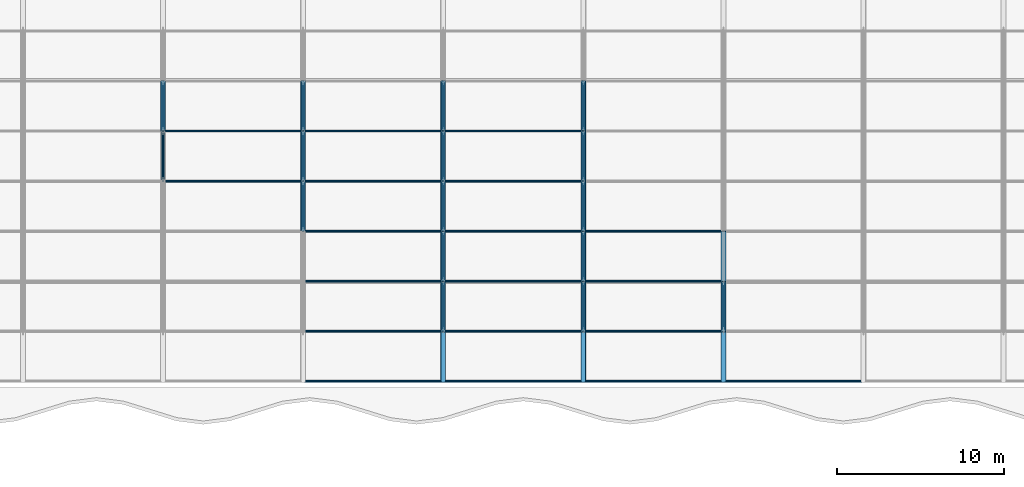
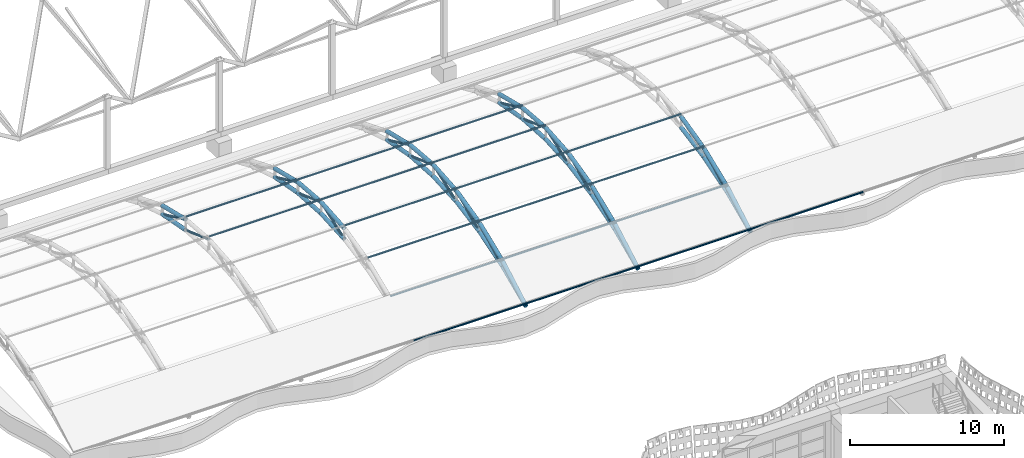
# One storey, part 13 of 163: 73 members.
"""IFC4 building model written with IfcOpenShell, lengths in metres."""

import ifcopenshell
import ifcopenshell.guid

model = None  # the IFC model being written
_history = None  # IfcOwnerHistory: only IFC2X3 demands one
_inside = {}  # id of a spatial element -> (the spatial element, [elements in it])
_under = {}  # id of a project, library or spatial element -> (it, [spatial elements below it])
_declared = {}  # id of a project -> (the project, [libraries it declares])
_typed = {}  # id of a type object -> (the type object, [elements of that type])
_made_of = {}  # id of a material, layer set ... -> (it, [elements and type objects made of it])


def new_model(schema):
    """Start an empty IFC model of exactly this schema.

    Asked for "IFC4X3", IfcOpenShell would pick the latest addendum, in which some entities
    have other attributes; the version numbers below select the first issue.
    IFC2X3 requires an IfcOwnerHistory on every rooted entity: one is made here for all.
    """
    global model, _history
    if schema == "IFC4X3":
        model = ifcopenshell.file(schema_version=(4, 3, 0, 0))
    else:
        model = ifcopenshell.file(schema=schema)
    _inside.clear()
    _under.clear()
    _declared.clear()
    _typed.clear()
    _made_of.clear()
    _history = None
    if model.schema == "IFC2X3":
        org = make("IfcOrganization", Name="unknown")
        user = make(
            "IfcPersonAndOrganization",
            ThePerson=make("IfcPerson", FamilyName="unknown"),
            TheOrganization=org,
        )
        app = make(
            "IfcApplication",
            ApplicationDeveloper=org,
            Version="unknown",
            ApplicationFullName="unknown",
            ApplicationIdentifier="unknown",
        )
        _history = make(
            "IfcOwnerHistory",
            OwningUser=user,
            OwningApplication=app,
            ChangeAction="ADDED",
            CreationDate=0,
        )
    return model


def make(cls, **values):
    """One entity of the class cls with the attributes given. An attribute that is None is left unset."""
    return model.create_entity(
        cls, **{name: value for name, value in values.items() if value is not None}
    )


def rooted(cls, **values):
    """An entity with a GlobalId (a new one), such as an element, a storey or a relation."""
    return make(cls, GlobalId=ifcopenshell.guid.new(), OwnerHistory=_history, **values)


def si_unit(unit_type, name, prefix=None):
    """IfcSIUnit, for example si_unit("LENGTHUNIT", "METRE", prefix="MILLI")."""
    return make("IfcSIUnit", UnitType=unit_type, Prefix=prefix, Name=name)


def assignment(units):
    """IfcUnitAssignment: the units of a project."""
    return None if units is None else make("IfcUnitAssignment", Units=units)


def point(xyz):
    """IfcCartesianPoint."""
    return None if xyz is None else make("IfcCartesianPoint", Coordinates=xyz)


def direction(xyz):
    """IfcDirection."""
    return None if xyz is None else make("IfcDirection", DirectionRatios=xyz)


def frame(location, z_axis=None, x_axis=None):
    """IfcAxis2Placement3D, a coordinate frame: its origin and axes. An axis left out is left unset."""
    return make(
        "IfcAxis2Placement3D",
        Location=point(location),
        Axis=direction(z_axis),
        RefDirection=direction(x_axis),
    )


def frame_2d(location, x_axis=None):
    """IfcAxis2Placement2D, a coordinate frame in the plane: its origin and x axis."""
    return make(
        "IfcAxis2Placement2D", Location=point(location), RefDirection=direction(x_axis)
    )


def origin():
    """The frame at (0, 0, 0) with its axes left unset."""
    return frame((0.0, 0.0, 0.0))


def origin_2d():
    """The frame at (0, 0) in the plane with its x axis left unset."""
    return frame_2d((0.0, 0.0))


def place(relative_to, where):
    """IfcLocalPlacement: puts the frame where relative to a parent placement (None: the world)."""
    return make(
        "IfcLocalPlacement", PlacementRelTo=relative_to, RelativePlacement=where
    )


def context(
    kind, dimensions, precision=None, world=None, true_north=None, identifier=None
):
    """IfcGeometricRepresentationContext, for example the 3D "Model" context."""
    return make(
        "IfcGeometricRepresentationContext",
        ContextIdentifier=identifier,
        ContextType=kind,
        CoordinateSpaceDimension=dimensions,
        Precision=precision,
        WorldCoordinateSystem=world,
        TrueNorth=true_north,
    )


def subcontext(parent, identifier, kind, view, scale=None):
    """IfcGeometricRepresentationSubContext, for example "Body" below "Model"."""
    return make(
        "IfcGeometricRepresentationSubContext",
        ContextIdentifier=identifier,
        ContextType=kind,
        ParentContext=parent,
        TargetScale=scale,
        TargetView=view,
    )


def project(units=None, contexts=None):
    """IfcProject with its units and contexts."""
    return rooted(
        "IfcProject",
        Name="project",
        RepresentationContexts=contexts,
        UnitsInContext=assignment(units),
    )


def spatial(cls, under=None, at=None, **own):
    """A site, building, storey or space (cls), placed at a placement, below another one or the project."""
    s = rooted(cls, ObjectPlacement=at, **own)
    if under is not None:
        _under.setdefault(under.id(), (under, []))[1].append(s)
    return s


def profile(cls, at=None, kind="AREA", **sizes):
    """A parametric profile (cls). Its sizes go by their IFC names, for example OverallWidth=200.0."""
    return make(cls, ProfileType=kind, Position=at, **sizes)


def hollow_circle(**sizes):
    """IfcCircleHollowProfileDef."""
    return profile("IfcCircleHollowProfileDef", **sizes)


def extrude(swept, where, along, depth):
    """IfcExtrudedAreaSolid: the profile swept, set in the frame where, extruded along a direction by depth."""
    return make(
        "IfcExtrudedAreaSolid",
        SweptArea=swept,
        Position=where,
        ExtrudedDirection=direction(along),
        Depth=depth,
    )


def shape(context_of_items, identifier, shape_type, items):
    """IfcShapeRepresentation: the items that make up one representation, for example the "Body"."""
    return make(
        "IfcShapeRepresentation",
        ContextOfItems=context_of_items,
        RepresentationIdentifier=identifier,
        RepresentationType=shape_type,
        Items=items,
    )


def material(Name=None, Category=None):
    """IfcMaterial."""
    return make("IfcMaterial", Name=Name, Category=Category)


def material_profile(
    of_material, cross_section, Name=None, Category=None, Priority=None
):
    """IfcMaterialProfile: a cross section and its material."""
    return make(
        "IfcMaterialProfile",
        Name=Name,
        Material=of_material,
        Profile=cross_section,
        Priority=Priority,
        Category=Category,
    )


def profile_set(profiles, Name=None, composite=None):
    """IfcMaterialProfileSet."""
    return make(
        "IfcMaterialProfileSet",
        Name=Name,
        MaterialProfiles=profiles,
        CompositeProfile=composite,
    )


def made_of(thing, what):
    """Note that an element or type object is made of a material, layer set ...; save() writes the relation."""
    if what is not None:
        _made_of.setdefault(what.id(), (what, []))[1].append(thing)
    return thing


def type_object(cls, material=None, **own):
    """A type object (cls), such as IfcWallType, which elements share."""
    return made_of(rooted(cls, **own), material)


def element(
    cls,
    number,
    at=None,
    inside=None,
    cuts=None,
    type_object=None,
    material=None,
    context=None,
    identifier="Body",
    shape_type=None,
    held_by="IfcProductDefinitionShape",
    body=None,
    shapes=None,
    **own,
):
    """One element of the class cls, such as IfcWall. Its Tag is "e" and its number.

    at: its placement. inside: the storey or other place that contains it. cuts: it is an
    opening in that element (IfcRelVoidsElement). A single representation is given by context,
    identifier, shape_type and body (its items); several are given by shapes. held_by: the class
    of the entity that holds the representations. save() writes the other relations.
    """
    e = rooted(cls, Tag="e%d" % number, ObjectPlacement=at, **own)
    if body is not None:
        shapes = [shape(context, identifier, shape_type, body)]
    if shapes is not None:
        e.Representation = make(held_by, Representations=shapes)
    if inside is not None:
        _inside.setdefault(inside.id(), (inside, []))[1].append(e)
    if cuts is not None:
        rooted(
            "IfcRelVoidsElement", RelatingBuildingElement=cuts, RelatedOpeningElement=e
        )
    if type_object is not None:
        _typed.setdefault(type_object.id(), (type_object, []))[1].append(e)
    return made_of(e, material)


def aggregate(whole, parts):
    """IfcRelAggregates: a whole, such as a stair, and the parts it consists of."""
    return rooted("IfcRelAggregates", RelatingObject=whole, RelatedObjects=parts)


def save(model, path):
    """Write the relations noted so far, then the file.

    IfcRelAggregates (storeys below a building ...), IfcRelContainedInSpatialStructure (elements
    in a storey), IfcRelDefinesByType, IfcRelAssociatesMaterial and IfcRelDeclares: one each for
    every whole, place, type object, material and project.
    """
    for whole, parts in _under.values():
        aggregate(whole, parts)
    for where, things in _inside.values():
        rooted(
            "IfcRelContainedInSpatialStructure",
            RelatedElements=things,
            RelatingStructure=where,
        )
    for kind, things in _typed.values():
        rooted("IfcRelDefinesByType", RelatedObjects=things, RelatingType=kind)
    for what, things in _made_of.values():
        rooted("IfcRelAssociatesMaterial", RelatedObjects=things, RelatingMaterial=what)
    for by, libraries in _declared.values():
        rooted("IfcRelDeclares", RelatingContext=by, RelatedDefinitions=libraries)
    model.write(path)


model = new_model("IFC4")

# Units and contexts
model_context = context("Model", 3, precision=1e-05, world=origin(), true_north=direction((0.0, 1.0)))
body_context = subcontext(model_context, "Body", "Model", "MODEL_VIEW")
ifc_project = project(units=[si_unit("LENGTHUNIT", "METRE"), si_unit("AREAUNIT", "SQUARE_METRE"), si_unit("VOLUMEUNIT", "CUBIC_METRE"), si_unit("PLANEANGLEUNIT", "RADIAN"), si_unit("MASSUNIT", "GRAM", prefix="KILO")], contexts=[model_context])

# Site, building, storey
site_placement = place(None, origin())
site = spatial("IfcSite", under=ifc_project, at=site_placement, CompositionType="ELEMENT")
building_placement = place(site_placement, origin())
building = spatial("IfcBuilding", under=site, at=building_placement, Name="Rain Tree Exposition and Congress Centre", CompositionType="ELEMENT")
storey_placement = place(building_placement, frame((0.0, 0.0, 10.5)))
storey = spatial("IfcBuildingStorey", under=building, at=storey_placement, Name="L02", CompositionType="ELEMENT", Elevation=10.5)

# Members
ifc_material_1 = material(Name="Steel S355J2H", Category="steel")
ifc_material_profile_1 = material_profile(ifc_material_1, hollow_circle(Radius=0.090087890625, WallThickness=0.008056640625, at=origin_2d()), Name="CHS 180x8")
ifc_profile_set_1 = profile_set([ifc_material_profile_1], Name="Steel S355J2H")
member_type_1 = type_object("IfcMemberType", Name="Steel brace member CHS 180x8", PredefinedType="BRACE", material=ifc_profile_set_1)
member_1_placement = place(storey_placement, frame((16.800048828125, 90.60009765625, 2.9423828125), z_axis=(0.0, -0.940121356633, 0.340839896143), x_axis=(1.0, 0.0, 0.0)))
element("IfcMember", 1, at=member_1_placement, inside=storey, type_object=member_type_1, Name="Roof truss 3 diagonal 4", PredefinedType="BRACE", context=body_context, shape_type="SweptSolid", body=[
    extrude(hollow_circle(Radius=0.090087890625, WallThickness=0.008056640625, at=origin_2d()), origin(), (0.0, 0.0, 1.0), 3.191162109375),
])
member_2_placement = place(storey_placement, frame((16.800048828125, 93.60009765625, 2.3798828125), z_axis=(0.0, -0.905430616583, 0.424494285655), x_axis=(1.0, 0.0, 0.0)))
element("IfcMember", 2, at=member_2_placement, inside=storey, type_object=member_type_1, Name="Roof truss 3 diagonal 5", PredefinedType="BRACE", context=body_context, shape_type="SweptSolid", body=[
    extrude(hollow_circle(Radius=0.090087890625, WallThickness=0.008056640625, at=origin_2d()), origin(), (0.0, 0.0, 1.0), 3.313232421875),
])
for number, where, z_axis, x_axis, name in (
    (3, (25.199951171875, 84.60009765625, 2.9423828125), (0.0, 0.940121356633, 0.340839896143), (-1.0, 0.0, 0.0), "Roof truss 4 diagonal 3"),
    (4, (25.199951171875, 90.60009765625, 2.9423828125), (0.0, -0.940121356633, 0.340839896143), (1.0, 0.0, 0.0), "Roof truss 4 diagonal 4"),
):
    element("IfcMember", number, at=place(storey_placement, frame(where, z_axis=z_axis, x_axis=x_axis)), inside=storey, type_object=member_type_1, Name=name, PredefinedType="BRACE", context=body_context, shape_type="SweptSolid", body=[
        extrude(hollow_circle(Radius=0.090087890625, WallThickness=0.008056640625, at=origin_2d()), origin(), (0.0, 0.0, 1.0), 3.191162109375),
    ])
member_3_placement = place(storey_placement, frame((25.199951171875, 93.60009765625, 2.3798828125), z_axis=(0.0, -0.905430616583, 0.424494285655), x_axis=(1.0, 0.0, 0.0)))
element("IfcMember", 5, at=member_3_placement, inside=storey, type_object=member_type_1, Name="Roof truss 4 diagonal 5", PredefinedType="BRACE", context=body_context, shape_type="SweptSolid", body=[
    extrude(hollow_circle(Radius=0.090087890625, WallThickness=0.008056640625, at=origin_2d()), origin(), (0.0, 0.0, 1.0), 3.313232421875),
])
member_4_placement = place(storey_placement, frame((33.60009765625, 78.60009765625, 1.4423828125), z_axis=(0.0, 0.880818418444, 0.473454236151), x_axis=(-1.0, 0.0, 0.0)))
element("IfcMember", 6, at=member_4_placement, inside=storey, type_object=member_type_1, Name="Roof truss 5 diagonal 1", PredefinedType="BRACE", context=body_context, shape_type="SweptSolid", body=[
    extrude(hollow_circle(Radius=0.090087890625, WallThickness=0.008056640625, at=origin_2d()), origin(), (0.0, 0.0, 1.0), 3.406005859375),
])
member_5_placement = place(storey_placement, frame((33.60009765625, 81.60009765625, 2.3798828125), z_axis=(0.0, 0.905430616583, 0.424494285655), x_axis=(-1.0, 0.0, 0.0)))
element("IfcMember", 7, at=member_5_placement, inside=storey, type_object=member_type_1, Name="Roof truss 5 diagonal 2", PredefinedType="BRACE", context=body_context, shape_type="SweptSolid", body=[
    extrude(hollow_circle(Radius=0.090087890625, WallThickness=0.008056640625, at=origin_2d()), origin(), (0.0, 0.0, 1.0), 3.313232421875),
])
for number, where, z_axis, x_axis, name in (
    (8, (33.60009765625, 84.60009765625, 2.9423828125), (0.0, 0.940121356633, 0.340839896143), (-1.0, 0.0, 0.0), "Roof truss 5 diagonal 3"),
    (9, (33.60009765625, 90.60009765625, 2.9423828125), (0.0, -0.940121356633, 0.340839896143), (1.0, 0.0, 0.0), "Roof truss 5 diagonal 4"),
):
    element("IfcMember", number, at=place(storey_placement, frame(where, z_axis=z_axis, x_axis=x_axis)), inside=storey, type_object=member_type_1, Name=name, PredefinedType="BRACE", context=body_context, shape_type="SweptSolid", body=[
        extrude(hollow_circle(Radius=0.090087890625, WallThickness=0.008056640625, at=origin_2d()), origin(), (0.0, 0.0, 1.0), 3.191162109375),
    ])
member_6_placement = place(storey_placement, frame((33.60009765625, 93.60009765625, 2.3798828125), z_axis=(0.0, -0.905430616583, 0.424494285655), x_axis=(1.0, 0.0, 0.0)))
element("IfcMember", 10, at=member_6_placement, inside=storey, type_object=member_type_1, Name="Roof truss 5 diagonal 5", PredefinedType="BRACE", context=body_context, shape_type="SweptSolid", body=[
    extrude(hollow_circle(Radius=0.090087890625, WallThickness=0.008056640625, at=origin_2d()), origin(), (0.0, 0.0, 1.0), 3.313232421875),
])
member_7_placement = place(storey_placement, frame((42.0, 78.60009765625, 1.4423828125), z_axis=(0.0, 0.880818418444, 0.473454236151), x_axis=(-1.0, 0.0, 0.0)))
element("IfcMember", 11, at=member_7_placement, inside=storey, type_object=member_type_1, Name="Roof truss 6 diagonal 1", PredefinedType="BRACE", context=body_context, shape_type="SweptSolid", body=[
    extrude(hollow_circle(Radius=0.090087890625, WallThickness=0.008056640625, at=origin_2d()), origin(), (0.0, 0.0, 1.0), 3.406005859375),
])
member_8_placement = place(storey_placement, frame((42.0, 81.60009765625, 2.3798828125), z_axis=(0.0, 0.905430616583, 0.424494285655), x_axis=(-1.0, 0.0, 0.0)))
element("IfcMember", 12, at=member_8_placement, inside=storey, type_object=member_type_1, Name="Roof truss 6 diagonal 2", PredefinedType="BRACE", context=body_context, shape_type="SweptSolid", body=[
    extrude(hollow_circle(Radius=0.090087890625, WallThickness=0.008056640625, at=origin_2d()), origin(), (0.0, 0.0, 1.0), 3.313232421875),
])
for number, where, z_axis, x_axis, name in (
    (13, (42.0, 84.60009765625, 2.9423828125), (0.0, 0.940121356633, 0.340839896143), (-1.0, 0.0, 0.0), "Roof truss 6 diagonal 3"),
    (14, (42.0, 90.60009765625, 2.9423828125), (0.0, -0.940121356633, 0.340839896143), (1.0, 0.0, 0.0), "Roof truss 6 diagonal 4"),
):
    element("IfcMember", number, at=place(storey_placement, frame(where, z_axis=z_axis, x_axis=x_axis)), inside=storey, type_object=member_type_1, Name=name, PredefinedType="BRACE", context=body_context, shape_type="SweptSolid", body=[
        extrude(hollow_circle(Radius=0.090087890625, WallThickness=0.008056640625, at=origin_2d()), origin(), (0.0, 0.0, 1.0), 3.191162109375),
    ])
member_9_placement = place(storey_placement, frame((42.0, 93.60009765625, 2.3798828125), z_axis=(0.0, -0.905430616583, 0.424494285655), x_axis=(1.0, 0.0, 0.0)))
element("IfcMember", 15, at=member_9_placement, inside=storey, type_object=member_type_1, Name="Roof truss 6 diagonal 5", PredefinedType="BRACE", context=body_context, shape_type="SweptSolid", body=[
    extrude(hollow_circle(Radius=0.090087890625, WallThickness=0.008056640625, at=origin_2d()), origin(), (0.0, 0.0, 1.0), 3.313232421875),
])
member_10_placement = place(storey_placement, frame((50.39990234375, 78.60009765625, 1.4423828125), z_axis=(0.0, 0.880818418444, 0.473454236151), x_axis=(-1.0, 0.0, 0.0)))
element("IfcMember", 16, at=member_10_placement, inside=storey, type_object=member_type_1, Name="Roof truss 7 diagonal 1", PredefinedType="BRACE", context=body_context, shape_type="SweptSolid", body=[
    extrude(hollow_circle(Radius=0.090087890625, WallThickness=0.008056640625, at=origin_2d()), origin(), (0.0, 0.0, 1.0), 3.406005859375),
])
ifc_material_2 = material(Name="Steel S355J2H", Category="steel")
ifc_material_profile_2 = material_profile(ifc_material_2, hollow_circle(Radius=0.14990234375, WallThickness=0.013916015625, at=origin_2d()), Name="CHS 300x14")
ifc_profile_set_2 = profile_set([ifc_material_profile_2], Name="Steel S355J2H")
member_type_2 = type_object("IfcMemberType", Name="Steel chord member CHS 300x14", PredefinedType="CHORD", material=ifc_profile_set_2)
member_11_placement = place(storey_placement, frame((16.800048828125, 90.60009765625, 3.786376953125), z_axis=(0.0, 0.971539868448, -0.236876094228), x_axis=(-1.0, 0.0, 0.0)))
element("IfcMember", 17, at=member_11_placement, inside=storey, type_object=member_type_2, Name="Roof truss 3 top chord 6", PredefinedType="CHORD", context=body_context, shape_type="SweptSolid", body=[
    extrude(hollow_circle(Radius=0.14990234375, WallThickness=0.013916015625, at=origin_2d()), origin(), (0.0, 0.0, 1.0), 3.087890625),
])
member_12_placement = place(storey_placement, frame((16.800048828125, 90.60009765625, 2.9423828125), z_axis=(0.0, 0.982872186934, -0.18428853505), x_axis=(-1.0, 0.0, 0.0)))
element("IfcMember", 18, at=member_12_placement, inside=storey, type_object=member_type_2, Name="Roof truss 3 bottom chord 6", PredefinedType="CHORD", context=body_context, shape_type="SweptSolid", body=[
    extrude(hollow_circle(Radius=0.14990234375, WallThickness=0.013916015625, at=origin_2d()), origin(), (0.0, 0.0, 1.0), 3.05224609375),
])
member_13_placement = place(storey_placement, frame((25.199951171875, 84.60009765625, 3.786376953125), z_axis=(0.0, 0.996718090462, 0.0809508996), x_axis=(-1.0, 0.0, 0.0)))
element("IfcMember", 19, at=member_13_placement, inside=storey, type_object=member_type_2, Name="Roof truss 4 top chord 4", PredefinedType="CHORD", context=body_context, shape_type="SweptSolid", body=[
    extrude(hollow_circle(Radius=0.14990234375, WallThickness=0.013916015625, at=origin_2d()), origin(), (0.0, 0.0, 1.0), 3.009765625),
])
member_14_placement = place(storey_placement, frame((25.199951171875, 84.60009765625, 2.9423828125), z_axis=(0.0, 0.998052578483, 0.062378286155), x_axis=(-1.0, 0.0, 0.0)))
element("IfcMember", 20, at=member_14_placement, inside=storey, type_object=member_type_2, Name="Roof truss 4 bottom chord 4", PredefinedType="CHORD", context=body_context, shape_type="SweptSolid", body=[
    extrude(hollow_circle(Radius=0.14990234375, WallThickness=0.013916015625, at=origin_2d()), origin(), (0.0, 0.0, 1.0), 3.005859375),
])
member_15_placement = place(storey_placement, frame((25.199951171875, 87.60009765625, 4.030029296875), z_axis=(0.0, 0.996718090462, -0.0809508996), x_axis=(-1.0, 0.0, 0.0)))
element("IfcMember", 21, at=member_15_placement, inside=storey, type_object=member_type_2, Name="Roof truss 4 top chord 5", PredefinedType="CHORD", context=body_context, shape_type="SweptSolid", body=[
    extrude(hollow_circle(Radius=0.14990234375, WallThickness=0.013916015625, at=origin_2d()), origin(), (0.0, 0.0, 1.0), 3.009765625),
])
member_16_placement = place(storey_placement, frame((25.199951171875, 87.60009765625, 3.1298828125), z_axis=(0.0, 0.998052578483, -0.062378286155), x_axis=(-1.0, 0.0, 0.0)))
element("IfcMember", 22, at=member_16_placement, inside=storey, type_object=member_type_2, Name="Roof truss 4 bottom chord 5", PredefinedType="CHORD", context=body_context, shape_type="SweptSolid", body=[
    extrude(hollow_circle(Radius=0.14990234375, WallThickness=0.013916015625, at=origin_2d()), origin(), (0.0, 0.0, 1.0), 3.005859375),
])
member_17_placement = place(storey_placement, frame((25.199951171875, 90.60009765625, 3.786376953125), z_axis=(0.0, 0.971539868448, -0.236876094228), x_axis=(-1.0, 0.0, 0.0)))
element("IfcMember", 23, at=member_17_placement, inside=storey, type_object=member_type_2, Name="Roof truss 4 top chord 6", PredefinedType="CHORD", context=body_context, shape_type="SweptSolid", body=[
    extrude(hollow_circle(Radius=0.14990234375, WallThickness=0.013916015625, at=origin_2d()), origin(), (0.0, 0.0, 1.0), 3.087890625),
])
member_18_placement = place(storey_placement, frame((25.199951171875, 90.60009765625, 2.9423828125), z_axis=(0.0, 0.982872186934, -0.18428853505), x_axis=(-1.0, 0.0, 0.0)))
element("IfcMember", 24, at=member_18_placement, inside=storey, type_object=member_type_2, Name="Roof truss 4 bottom chord 6", PredefinedType="CHORD", context=body_context, shape_type="SweptSolid", body=[
    extrude(hollow_circle(Radius=0.14990234375, WallThickness=0.013916015625, at=origin_2d()), origin(), (0.0, 0.0, 1.0), 3.05224609375),
])
member_19_placement = place(storey_placement, frame((33.60009765625, 75.60009765625, 0.1298828125), z_axis=(0.0, 0.869238262324, 0.494393409455), x_axis=(-1.0, 0.0, 0.0)))
element("IfcMember", 25, at=member_19_placement, inside=storey, type_object=member_type_2, Name="Roof truss 5 top chord 1", PredefinedType="CHORD", context=body_context, shape_type="SweptSolid", body=[
    extrude(hollow_circle(Radius=0.14990234375, WallThickness=0.013916015625, at=origin_2d()), origin(), (0.0, 0.0, 1.0), 3.451416015625),
])
member_20_placement = place(storey_placement, frame((33.60009765625, 75.60009765625, 0.1298828125), z_axis=(0.0, 0.916157334902, 0.40081883402), x_axis=(-1.0, 0.0, 0.0)))
element("IfcMember", 26, at=member_20_placement, inside=storey, type_object=member_type_2, Name="Roof truss 5 bottom chord 1", PredefinedType="CHORD", context=body_context, shape_type="SweptSolid", body=[
    extrude(hollow_circle(Radius=0.14990234375, WallThickness=0.013916015625, at=origin_2d()), origin(), (0.0, 0.0, 1.0), 3.274658203125),
])
member_21_placement = place(storey_placement, frame((33.60009765625, 78.60009765625, 1.836181640625), z_axis=(0.0, 0.926466577122, 0.376377046956), x_axis=(-1.0, 0.0, 0.0)))
element("IfcMember", 27, at=member_21_placement, inside=storey, type_object=member_type_2, Name="Roof truss 5 top chord 2", PredefinedType="CHORD", context=body_context, shape_type="SweptSolid", body=[
    extrude(hollow_circle(Radius=0.14990234375, WallThickness=0.013916015625, at=origin_2d()), origin(), (0.0, 0.0, 1.0), 3.238037109375),
])
member_22_placement = place(storey_placement, frame((33.60009765625, 78.60009765625, 1.4423828125), z_axis=(0.0, 0.954479978035, 0.298274993136), x_axis=(-1.0, 0.0, 0.0)))
element("IfcMember", 28, at=member_22_placement, inside=storey, type_object=member_type_2, Name="Roof truss 5 bottom chord 2", PredefinedType="CHORD", context=body_context, shape_type="SweptSolid", body=[
    extrude(hollow_circle(Radius=0.14990234375, WallThickness=0.013916015625, at=origin_2d()), origin(), (0.0, 0.0, 1.0), 3.14306640625),
])
member_23_placement = place(storey_placement, frame((33.60009765625, 81.60009765625, 3.054931640625), z_axis=(0.0, 0.971539868448, 0.236876094228), x_axis=(-1.0, 0.0, 0.0)))
element("IfcMember", 29, at=member_23_placement, inside=storey, type_object=member_type_2, Name="Roof truss 5 top chord 3", PredefinedType="CHORD", context=body_context, shape_type="SweptSolid", body=[
    extrude(hollow_circle(Radius=0.14990234375, WallThickness=0.013916015625, at=origin_2d()), origin(), (0.0, 0.0, 1.0), 3.087890625),
])
member_24_placement = place(storey_placement, frame((33.60009765625, 81.60009765625, 2.3798828125), z_axis=(0.0, 0.982872186934, 0.18428853505), x_axis=(-1.0, 0.0, 0.0)))
element("IfcMember", 30, at=member_24_placement, inside=storey, type_object=member_type_2, Name="Roof truss 5 bottom chord 3", PredefinedType="CHORD", context=body_context, shape_type="SweptSolid", body=[
    extrude(hollow_circle(Radius=0.14990234375, WallThickness=0.013916015625, at=origin_2d()), origin(), (0.0, 0.0, 1.0), 3.05224609375),
])
member_25_placement = place(storey_placement, frame((33.60009765625, 84.60009765625, 3.786376953125), z_axis=(0.0, 0.996718090462, 0.0809508996), x_axis=(-1.0, 0.0, 0.0)))
element("IfcMember", 31, at=member_25_placement, inside=storey, type_object=member_type_2, Name="Roof truss 5 top chord 4", PredefinedType="CHORD", context=body_context, shape_type="SweptSolid", body=[
    extrude(hollow_circle(Radius=0.14990234375, WallThickness=0.013916015625, at=origin_2d()), origin(), (0.0, 0.0, 1.0), 3.009765625),
])
member_26_placement = place(storey_placement, frame((33.60009765625, 84.60009765625, 2.9423828125), z_axis=(0.0, 0.998052578483, 0.062378286155), x_axis=(-1.0, 0.0, 0.0)))
element("IfcMember", 32, at=member_26_placement, inside=storey, type_object=member_type_2, Name="Roof truss 5 bottom chord 4", PredefinedType="CHORD", context=body_context, shape_type="SweptSolid", body=[
    extrude(hollow_circle(Radius=0.14990234375, WallThickness=0.013916015625, at=origin_2d()), origin(), (0.0, 0.0, 1.0), 3.005859375),
])
member_27_placement = place(storey_placement, frame((33.60009765625, 87.60009765625, 4.030029296875), z_axis=(0.0, 0.996718090462, -0.0809508996), x_axis=(-1.0, 0.0, 0.0)))
element("IfcMember", 33, at=member_27_placement, inside=storey, type_object=member_type_2, Name="Roof truss 5 top chord 5", PredefinedType="CHORD", context=body_context, shape_type="SweptSolid", body=[
    extrude(hollow_circle(Radius=0.14990234375, WallThickness=0.013916015625, at=origin_2d()), origin(), (0.0, 0.0, 1.0), 3.009765625),
])
member_28_placement = place(storey_placement, frame((33.60009765625, 87.60009765625, 3.1298828125), z_axis=(0.0, 0.998052578483, -0.062378286155), x_axis=(-1.0, 0.0, 0.0)))
element("IfcMember", 34, at=member_28_placement, inside=storey, type_object=member_type_2, Name="Roof truss 5 bottom chord 5", PredefinedType="CHORD", context=body_context, shape_type="SweptSolid", body=[
    extrude(hollow_circle(Radius=0.14990234375, WallThickness=0.013916015625, at=origin_2d()), origin(), (0.0, 0.0, 1.0), 3.005859375),
])
member_29_placement = place(storey_placement, frame((33.60009765625, 90.60009765625, 3.786376953125), z_axis=(0.0, 0.971539868448, -0.236876094228), x_axis=(-1.0, 0.0, 0.0)))
element("IfcMember", 35, at=member_29_placement, inside=storey, type_object=member_type_2, Name="Roof truss 5 top chord 6", PredefinedType="CHORD", context=body_context, shape_type="SweptSolid", body=[
    extrude(hollow_circle(Radius=0.14990234375, WallThickness=0.013916015625, at=origin_2d()), origin(), (0.0, 0.0, 1.0), 3.087890625),
])
member_30_placement = place(storey_placement, frame((33.60009765625, 90.60009765625, 2.9423828125), z_axis=(0.0, 0.982872186934, -0.18428853505), x_axis=(-1.0, 0.0, 0.0)))
element("IfcMember", 36, at=member_30_placement, inside=storey, type_object=member_type_2, Name="Roof truss 5 bottom chord 6", PredefinedType="CHORD", context=body_context, shape_type="SweptSolid", body=[
    extrude(hollow_circle(Radius=0.14990234375, WallThickness=0.013916015625, at=origin_2d()), origin(), (0.0, 0.0, 1.0), 3.05224609375),
])
member_31_placement = place(storey_placement, frame((42.0, 75.60009765625, 0.1298828125), z_axis=(0.0, 0.869238262324, 0.494393409455), x_axis=(-1.0, 0.0, 0.0)))
element("IfcMember", 37, at=member_31_placement, inside=storey, type_object=member_type_2, Name="Roof truss 6 top chord 1", PredefinedType="CHORD", context=body_context, shape_type="SweptSolid", body=[
    extrude(hollow_circle(Radius=0.14990234375, WallThickness=0.013916015625, at=origin_2d()), origin(), (0.0, 0.0, 1.0), 3.451416015625),
])
member_32_placement = place(storey_placement, frame((42.0, 75.60009765625, 0.1298828125), z_axis=(0.0, 0.916157334902, 0.40081883402), x_axis=(-1.0, 0.0, 0.0)))
element("IfcMember", 38, at=member_32_placement, inside=storey, type_object=member_type_2, Name="Roof truss 6 bottom chord 1", PredefinedType="CHORD", context=body_context, shape_type="SweptSolid", body=[
    extrude(hollow_circle(Radius=0.14990234375, WallThickness=0.013916015625, at=origin_2d()), origin(), (0.0, 0.0, 1.0), 3.274658203125),
])
member_33_placement = place(storey_placement, frame((42.0, 78.60009765625, 1.836181640625), z_axis=(0.0, 0.926466577122, 0.376377046956), x_axis=(-1.0, 0.0, 0.0)))
element("IfcMember", 39, at=member_33_placement, inside=storey, type_object=member_type_2, Name="Roof truss 6 top chord 2", PredefinedType="CHORD", context=body_context, shape_type="SweptSolid", body=[
    extrude(hollow_circle(Radius=0.14990234375, WallThickness=0.013916015625, at=origin_2d()), origin(), (0.0, 0.0, 1.0), 3.238037109375),
])
member_34_placement = place(storey_placement, frame((42.0, 78.60009765625, 1.4423828125), z_axis=(0.0, 0.954479978035, 0.298274993136), x_axis=(-1.0, 0.0, 0.0)))
element("IfcMember", 40, at=member_34_placement, inside=storey, type_object=member_type_2, Name="Roof truss 6 bottom chord 2", PredefinedType="CHORD", context=body_context, shape_type="SweptSolid", body=[
    extrude(hollow_circle(Radius=0.14990234375, WallThickness=0.013916015625, at=origin_2d()), origin(), (0.0, 0.0, 1.0), 3.14306640625),
])
member_35_placement = place(storey_placement, frame((42.0, 81.60009765625, 3.054931640625), z_axis=(0.0, 0.971539868448, 0.236876094228), x_axis=(-1.0, 0.0, 0.0)))
element("IfcMember", 41, at=member_35_placement, inside=storey, type_object=member_type_2, Name="Roof truss 6 top chord 3", PredefinedType="CHORD", context=body_context, shape_type="SweptSolid", body=[
    extrude(hollow_circle(Radius=0.14990234375, WallThickness=0.013916015625, at=origin_2d()), origin(), (0.0, 0.0, 1.0), 3.087890625),
])
member_36_placement = place(storey_placement, frame((42.0, 81.60009765625, 2.3798828125), z_axis=(0.0, 0.982872186934, 0.18428853505), x_axis=(-1.0, 0.0, 0.0)))
element("IfcMember", 42, at=member_36_placement, inside=storey, type_object=member_type_2, Name="Roof truss 6 bottom chord 3", PredefinedType="CHORD", context=body_context, shape_type="SweptSolid", body=[
    extrude(hollow_circle(Radius=0.14990234375, WallThickness=0.013916015625, at=origin_2d()), origin(), (0.0, 0.0, 1.0), 3.05224609375),
])
member_37_placement = place(storey_placement, frame((42.0, 84.60009765625, 3.786376953125), z_axis=(0.0, 0.996718090462, 0.0809508996), x_axis=(-1.0, 0.0, 0.0)))
element("IfcMember", 43, at=member_37_placement, inside=storey, type_object=member_type_2, Name="Roof truss 6 top chord 4", PredefinedType="CHORD", context=body_context, shape_type="SweptSolid", body=[
    extrude(hollow_circle(Radius=0.14990234375, WallThickness=0.013916015625, at=origin_2d()), origin(), (0.0, 0.0, 1.0), 3.009765625),
])
member_38_placement = place(storey_placement, frame((42.0, 84.60009765625, 2.9423828125), z_axis=(0.0, 0.998052578483, 0.062378286155), x_axis=(-1.0, 0.0, 0.0)))
element("IfcMember", 44, at=member_38_placement, inside=storey, type_object=member_type_2, Name="Roof truss 6 bottom chord 4", PredefinedType="CHORD", context=body_context, shape_type="SweptSolid", body=[
    extrude(hollow_circle(Radius=0.14990234375, WallThickness=0.013916015625, at=origin_2d()), origin(), (0.0, 0.0, 1.0), 3.005859375),
])
member_39_placement = place(storey_placement, frame((42.0, 87.60009765625, 4.030029296875), z_axis=(0.0, 0.996718090462, -0.0809508996), x_axis=(-1.0, 0.0, 0.0)))
element("IfcMember", 45, at=member_39_placement, inside=storey, type_object=member_type_2, Name="Roof truss 6 top chord 5", PredefinedType="CHORD", context=body_context, shape_type="SweptSolid", body=[
    extrude(hollow_circle(Radius=0.14990234375, WallThickness=0.013916015625, at=origin_2d()), origin(), (0.0, 0.0, 1.0), 3.009765625),
])
member_40_placement = place(storey_placement, frame((42.0, 87.60009765625, 3.1298828125), z_axis=(0.0, 0.998052578483, -0.062378286155), x_axis=(-1.0, 0.0, 0.0)))
element("IfcMember", 46, at=member_40_placement, inside=storey, type_object=member_type_2, Name="Roof truss 6 bottom chord 5", PredefinedType="CHORD", context=body_context, shape_type="SweptSolid", body=[
    extrude(hollow_circle(Radius=0.14990234375, WallThickness=0.013916015625, at=origin_2d()), origin(), (0.0, 0.0, 1.0), 3.005859375),
])
member_41_placement = place(storey_placement, frame((42.0, 90.60009765625, 3.786376953125), z_axis=(0.0, 0.971539868448, -0.236876094228), x_axis=(-1.0, 0.0, 0.0)))
element("IfcMember", 47, at=member_41_placement, inside=storey, type_object=member_type_2, Name="Roof truss 6 top chord 6", PredefinedType="CHORD", context=body_context, shape_type="SweptSolid", body=[
    extrude(hollow_circle(Radius=0.14990234375, WallThickness=0.013916015625, at=origin_2d()), origin(), (0.0, 0.0, 1.0), 3.087890625),
])
member_42_placement = place(storey_placement, frame((42.0, 90.60009765625, 2.9423828125), z_axis=(0.0, 0.982872186934, -0.18428853505), x_axis=(-1.0, 0.0, 0.0)))
element("IfcMember", 48, at=member_42_placement, inside=storey, type_object=member_type_2, Name="Roof truss 6 bottom chord 6", PredefinedType="CHORD", context=body_context, shape_type="SweptSolid", body=[
    extrude(hollow_circle(Radius=0.14990234375, WallThickness=0.013916015625, at=origin_2d()), origin(), (0.0, 0.0, 1.0), 3.05224609375),
])
member_43_placement = place(storey_placement, frame((50.39990234375, 75.60009765625, 0.1298828125), z_axis=(0.0, 0.869238262324, 0.494393409455), x_axis=(-1.0, 0.0, 0.0)))
element("IfcMember", 49, at=member_43_placement, inside=storey, type_object=member_type_2, Name="Roof truss 7 top chord 1", PredefinedType="CHORD", context=body_context, shape_type="SweptSolid", body=[
    extrude(hollow_circle(Radius=0.14990234375, WallThickness=0.013916015625, at=origin_2d()), origin(), (0.0, 0.0, 1.0), 3.451416015625),
])
member_44_placement = place(storey_placement, frame((50.39990234375, 75.60009765625, 0.1298828125), z_axis=(0.0, 0.916157334902, 0.40081883402), x_axis=(-1.0, 0.0, 0.0)))
element("IfcMember", 50, at=member_44_placement, inside=storey, type_object=member_type_2, Name="Roof truss 7 bottom chord 1", PredefinedType="CHORD", context=body_context, shape_type="SweptSolid", body=[
    extrude(hollow_circle(Radius=0.14990234375, WallThickness=0.013916015625, at=origin_2d()), origin(), (0.0, 0.0, 1.0), 3.274658203125),
])
member_45_placement = place(storey_placement, frame((50.39990234375, 78.60009765625, 1.836181640625), z_axis=(0.0, 0.926466577122, 0.376377046956), x_axis=(-1.0, 0.0, 0.0)))
element("IfcMember", 51, at=member_45_placement, inside=storey, type_object=member_type_2, Name="Roof truss 7 top chord 2", PredefinedType="CHORD", context=body_context, shape_type="SweptSolid", body=[
    extrude(hollow_circle(Radius=0.14990234375, WallThickness=0.013916015625, at=origin_2d()), origin(), (0.0, 0.0, 1.0), 3.238037109375),
])
member_46_placement = place(storey_placement, frame((50.39990234375, 78.60009765625, 1.4423828125), z_axis=(0.0, 0.954479978035, 0.298274993136), x_axis=(-1.0, 0.0, 0.0)))
element("IfcMember", 52, at=member_46_placement, inside=storey, type_object=member_type_2, Name="Roof truss 7 bottom chord 2", PredefinedType="CHORD", context=body_context, shape_type="SweptSolid", body=[
    extrude(hollow_circle(Radius=0.14990234375, WallThickness=0.013916015625, at=origin_2d()), origin(), (0.0, 0.0, 1.0), 3.14306640625),
])
member_47_placement = place(storey_placement, frame((50.39990234375, 81.60009765625, 3.054931640625), z_axis=(0.0, 0.971539868448, 0.236876094228), x_axis=(-1.0, 0.0, 0.0)))
element("IfcMember", 53, at=member_47_placement, inside=storey, type_object=member_type_2, Name="Roof truss 7 top chord 3", PredefinedType="CHORD", context=body_context, shape_type="SweptSolid", body=[
    extrude(hollow_circle(Radius=0.14990234375, WallThickness=0.013916015625, at=origin_2d()), origin(), (0.0, 0.0, 1.0), 3.087890625),
])
member_48_placement = place(storey_placement, frame((50.39990234375, 81.60009765625, 2.3798828125), z_axis=(0.0, 0.982872186934, 0.18428853505), x_axis=(-1.0, 0.0, 0.0)))
element("IfcMember", 54, at=member_48_placement, inside=storey, type_object=member_type_2, Name="Roof truss 7 bottom chord 3", PredefinedType="CHORD", context=body_context, shape_type="SweptSolid", body=[
    extrude(hollow_circle(Radius=0.14990234375, WallThickness=0.013916015625, at=origin_2d()), origin(), (0.0, 0.0, 1.0), 3.05224609375),
])
ifc_material_3 = material(Name="Steel S355J2H", Category="steel")
ifc_material_profile_3 = material_profile(ifc_material_3, hollow_circle(Radius=0.070068359375, WallThickness=0.006103515625, at=origin_2d()), Name="CHS 140x6")
ifc_profile_set_3 = profile_set([ifc_material_profile_3], Name="Steel S355J2H")
member_type_3 = type_object("IfcMemberType", Name="Steel purlin member CHS 140x6", PredefinedType="PURLIN", material=ifc_profile_set_3)
member_49_placement = place(storey_placement, frame((25.199951171875, 75.60009765625, 0.35009765625), z_axis=(1.0, 0.0, 0.0), x_axis=(0.0, 1.0, 0.0)))
element("IfcMember", 55, at=member_49_placement, inside=storey, type_object=member_type_3, Name="Roof purlin 1.4", PredefinedType="PURLIN", context=body_context, shape_type="SweptSolid", body=[
    extrude(hollow_circle(Radius=0.070068359375, WallThickness=0.006103515625, at=origin_2d()), origin(), (0.0, 0.0, 1.0), 8.400146484375),
])
for number, where, z_axis, x_axis, name in (
    (56, (33.60009765625, 75.60009765625, 0.35009765625), (1.0, 0.0, 0.0), (0.0, 1.0, 0.0), "Roof purlin 1.5"),
    (57, (42.0, 75.60009765625, 0.35009765625), (1.0, 0.0, 0.0), (0.0, 1.0, 0.0), "Roof purlin 1.6"),
):
    element("IfcMember", number, at=place(storey_placement, frame(where, z_axis=z_axis, x_axis=x_axis)), inside=storey, type_object=member_type_3, Name=name, PredefinedType="PURLIN", context=body_context, shape_type="SweptSolid", body=[
        extrude(hollow_circle(Radius=0.070068359375, WallThickness=0.006103515625, at=origin_2d()), origin(), (0.0, 0.0, 1.0), 8.39990234375),
    ])
for number, where, z_axis, x_axis, name in (
    (58, (50.39990234375, 75.60009765625, 0.35009765625), (1.0, 0.0, 0.0), (0.0, 1.0, 0.0), "Roof purlin 1.7"),
    (59, (25.199951171875, 78.60009765625, 2.056396484375), (1.0, 0.0, 0.0), (0.0, 1.0, 0.0), "Roof purlin 2.4"),
):
    element("IfcMember", number, at=place(storey_placement, frame(where, z_axis=z_axis, x_axis=x_axis)), inside=storey, type_object=member_type_3, Name=name, PredefinedType="PURLIN", context=body_context, shape_type="SweptSolid", body=[
        extrude(hollow_circle(Radius=0.070068359375, WallThickness=0.006103515625, at=origin_2d()), origin(), (0.0, 0.0, 1.0), 8.400146484375),
    ])
for number, where, z_axis, x_axis, name in (
    (60, (33.60009765625, 78.60009765625, 2.056396484375), (1.0, 0.0, 0.0), (0.0, 1.0, 0.0), "Roof purlin 2.5"),
    (61, (42.0, 78.60009765625, 2.056396484375), (1.0, 0.0, 0.0), (0.0, 1.0, 0.0), "Roof purlin 2.6"),
):
    element("IfcMember", number, at=place(storey_placement, frame(where, z_axis=z_axis, x_axis=x_axis)), inside=storey, type_object=member_type_3, Name=name, PredefinedType="PURLIN", context=body_context, shape_type="SweptSolid", body=[
        extrude(hollow_circle(Radius=0.070068359375, WallThickness=0.006103515625, at=origin_2d()), origin(), (0.0, 0.0, 1.0), 8.39990234375),
    ])
member_50_placement = place(storey_placement, frame((25.199951171875, 81.60009765625, 3.27490234375), z_axis=(1.0, 0.0, 0.0), x_axis=(0.0, 1.0, 0.0)))
element("IfcMember", 62, at=member_50_placement, inside=storey, type_object=member_type_3, Name="Roof purlin 3.4", PredefinedType="PURLIN", context=body_context, shape_type="SweptSolid", body=[
    extrude(hollow_circle(Radius=0.070068359375, WallThickness=0.006103515625, at=origin_2d()), origin(), (0.0, 0.0, 1.0), 8.400146484375),
])
for number, where, z_axis, x_axis, name in (
    (63, (33.60009765625, 81.60009765625, 3.27490234375), (1.0, 0.0, 0.0), (0.0, 1.0, 0.0), "Roof purlin 3.5"),
    (64, (42.0, 81.60009765625, 3.27490234375), (1.0, 0.0, 0.0), (0.0, 1.0, 0.0), "Roof purlin 3.6"),
):
    element("IfcMember", number, at=place(storey_placement, frame(where, z_axis=z_axis, x_axis=x_axis)), inside=storey, type_object=member_type_3, Name=name, PredefinedType="PURLIN", context=body_context, shape_type="SweptSolid", body=[
        extrude(hollow_circle(Radius=0.070068359375, WallThickness=0.006103515625, at=origin_2d()), origin(), (0.0, 0.0, 1.0), 8.39990234375),
    ])
member_51_placement = place(storey_placement, frame((25.199951171875, 84.60009765625, 4.00634765625), z_axis=(1.0, 0.0, 0.0), x_axis=(0.0, 1.0, 0.0)))
element("IfcMember", 65, at=member_51_placement, inside=storey, type_object=member_type_3, Name="Roof purlin 4.4", PredefinedType="PURLIN", context=body_context, shape_type="SweptSolid", body=[
    extrude(hollow_circle(Radius=0.070068359375, WallThickness=0.006103515625, at=origin_2d()), origin(), (0.0, 0.0, 1.0), 8.400146484375),
])
for number, where, z_axis, x_axis, name in (
    (66, (33.60009765625, 84.60009765625, 4.00634765625), (1.0, 0.0, 0.0), (0.0, 1.0, 0.0), "Roof purlin 4.5"),
    (67, (42.0, 84.60009765625, 4.00634765625), (1.0, 0.0, 0.0), (0.0, 1.0, 0.0), "Roof purlin 4.6"),
    (68, (16.800048828125, 87.60009765625, 4.25), (1.0, 0.0, 0.0), (0.0, 1.0, 0.0), "Roof purlin 5.3"),
):
    element("IfcMember", number, at=place(storey_placement, frame(where, z_axis=z_axis, x_axis=x_axis)), inside=storey, type_object=member_type_3, Name=name, PredefinedType="PURLIN", context=body_context, shape_type="SweptSolid", body=[
        extrude(hollow_circle(Radius=0.070068359375, WallThickness=0.006103515625, at=origin_2d()), origin(), (0.0, 0.0, 1.0), 8.39990234375),
    ])
member_52_placement = place(storey_placement, frame((25.199951171875, 87.60009765625, 4.25), z_axis=(1.0, 0.0, 0.0), x_axis=(0.0, 1.0, 0.0)))
element("IfcMember", 69, at=member_52_placement, inside=storey, type_object=member_type_3, Name="Roof purlin 5.4", PredefinedType="PURLIN", context=body_context, shape_type="SweptSolid", body=[
    extrude(hollow_circle(Radius=0.070068359375, WallThickness=0.006103515625, at=origin_2d()), origin(), (0.0, 0.0, 1.0), 8.400146484375),
])
for number, where, z_axis, x_axis, name in (
    (70, (33.60009765625, 87.60009765625, 4.25), (1.0, 0.0, 0.0), (0.0, 1.0, 0.0), "Roof purlin 5.5"),
    (71, (16.800048828125, 90.60009765625, 4.00634765625), (1.0, 0.0, 0.0), (0.0, 1.0, 0.0), "Roof purlin 6.3"),
):
    element("IfcMember", number, at=place(storey_placement, frame(where, z_axis=z_axis, x_axis=x_axis)), inside=storey, type_object=member_type_3, Name=name, PredefinedType="PURLIN", context=body_context, shape_type="SweptSolid", body=[
        extrude(hollow_circle(Radius=0.070068359375, WallThickness=0.006103515625, at=origin_2d()), origin(), (0.0, 0.0, 1.0), 8.39990234375),
    ])
member_53_placement = place(storey_placement, frame((25.199951171875, 90.60009765625, 4.00634765625), z_axis=(1.0, 0.0, 0.0), x_axis=(0.0, 1.0, 0.0)))
element("IfcMember", 72, at=member_53_placement, inside=storey, type_object=member_type_3, Name="Roof purlin 6.4", PredefinedType="PURLIN", context=body_context, shape_type="SweptSolid", body=[
    extrude(hollow_circle(Radius=0.070068359375, WallThickness=0.006103515625, at=origin_2d()), origin(), (0.0, 0.0, 1.0), 8.400146484375),
])
member_54_placement = place(storey_placement, frame((33.60009765625, 90.60009765625, 4.00634765625), z_axis=(1.0, 0.0, 0.0), x_axis=(0.0, 1.0, 0.0)))
element("IfcMember", 73, at=member_54_placement, inside=storey, type_object=member_type_3, Name="Roof purlin 6.5", PredefinedType="PURLIN", context=body_context, shape_type="SweptSolid", body=[
    extrude(hollow_circle(Radius=0.070068359375, WallThickness=0.006103515625, at=origin_2d()), origin(), (0.0, 0.0, 1.0), 8.39990234375),
])

save(model, "model.ifc")
